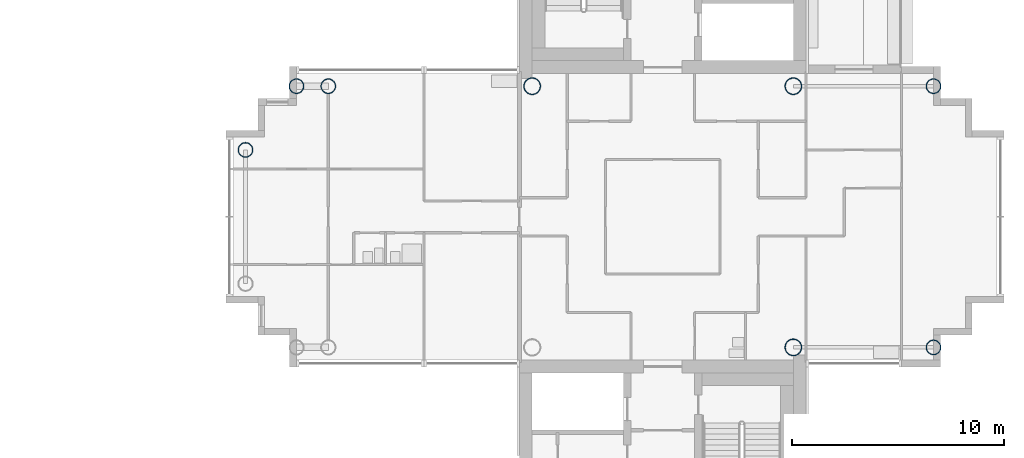
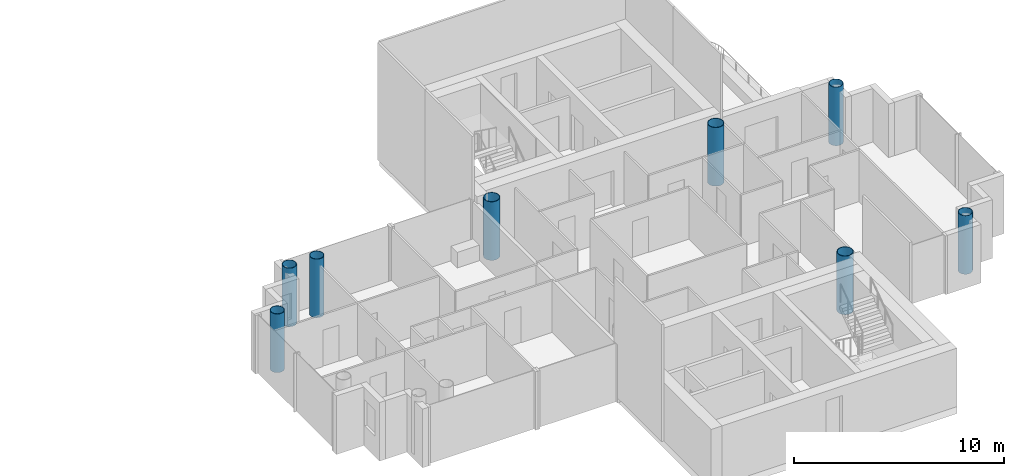
# One storey, part 2 of 18: 8 columns.
"""IFC4 building model written with IfcOpenShell, lengths in metres."""

import ifcopenshell
import ifcopenshell.guid

model = None  # the IFC model being written
_history = None  # IfcOwnerHistory: only IFC2X3 demands one
_inside = {}  # id of a spatial element -> (the spatial element, [elements in it])
_under = {}  # id of a project, library or spatial element -> (it, [spatial elements below it])
_declared = {}  # id of a project -> (the project, [libraries it declares])
_typed = {}  # id of a type object -> (the type object, [elements of that type])
_made_of = {}  # id of a material, layer set ... -> (it, [elements and type objects made of it])


def new_model(schema):
    """Start an empty IFC model of exactly this schema.

    Asked for "IFC4X3", IfcOpenShell would pick the latest addendum, in which some entities
    have other attributes; the version numbers below select the first issue.
    IFC2X3 requires an IfcOwnerHistory on every rooted entity: one is made here for all.
    """
    global model, _history
    if schema == "IFC4X3":
        model = ifcopenshell.file(schema_version=(4, 3, 0, 0))
    else:
        model = ifcopenshell.file(schema=schema)
    _inside.clear()
    _under.clear()
    _declared.clear()
    _typed.clear()
    _made_of.clear()
    _history = None
    if model.schema == "IFC2X3":
        org = make("IfcOrganization", Name="unknown")
        user = make(
            "IfcPersonAndOrganization",
            ThePerson=make("IfcPerson", FamilyName="unknown"),
            TheOrganization=org,
        )
        app = make(
            "IfcApplication",
            ApplicationDeveloper=org,
            Version="unknown",
            ApplicationFullName="unknown",
            ApplicationIdentifier="unknown",
        )
        _history = make(
            "IfcOwnerHistory",
            OwningUser=user,
            OwningApplication=app,
            ChangeAction="ADDED",
            CreationDate=0,
        )
    return model


def make(cls, **values):
    """One entity of the class cls with the attributes given. An attribute that is None is left unset."""
    return model.create_entity(
        cls, **{name: value for name, value in values.items() if value is not None}
    )


def rooted(cls, **values):
    """An entity with a GlobalId (a new one), such as an element, a storey or a relation."""
    return make(cls, GlobalId=ifcopenshell.guid.new(), OwnerHistory=_history, **values)


def si_unit(unit_type, name, prefix=None):
    """IfcSIUnit, for example si_unit("LENGTHUNIT", "METRE", prefix="MILLI")."""
    return make("IfcSIUnit", UnitType=unit_type, Prefix=prefix, Name=name)


def assignment(units):
    """IfcUnitAssignment: the units of a project."""
    return None if units is None else make("IfcUnitAssignment", Units=units)


def point(xyz):
    """IfcCartesianPoint."""
    return None if xyz is None else make("IfcCartesianPoint", Coordinates=xyz)


def direction(xyz):
    """IfcDirection."""
    return None if xyz is None else make("IfcDirection", DirectionRatios=xyz)


def frame(location, z_axis=None, x_axis=None):
    """IfcAxis2Placement3D, a coordinate frame: its origin and axes. An axis left out is left unset."""
    return make(
        "IfcAxis2Placement3D",
        Location=point(location),
        Axis=direction(z_axis),
        RefDirection=direction(x_axis),
    )


def frame_2d(location, x_axis=None):
    """IfcAxis2Placement2D, a coordinate frame in the plane: its origin and x axis."""
    return make(
        "IfcAxis2Placement2D", Location=point(location), RefDirection=direction(x_axis)
    )


def origin():
    """The frame at (0, 0, 0) with its axes left unset."""
    return frame((0.0, 0.0, 0.0))


def origin_2d():
    """The frame at (0, 0) in the plane with its x axis left unset."""
    return frame_2d((0.0, 0.0))


def place(relative_to, where):
    """IfcLocalPlacement: puts the frame where relative to a parent placement (None: the world)."""
    return make(
        "IfcLocalPlacement", PlacementRelTo=relative_to, RelativePlacement=where
    )


def context(
    kind, dimensions, precision=None, world=None, true_north=None, identifier=None
):
    """IfcGeometricRepresentationContext, for example the 3D "Model" context."""
    return make(
        "IfcGeometricRepresentationContext",
        ContextIdentifier=identifier,
        ContextType=kind,
        CoordinateSpaceDimension=dimensions,
        Precision=precision,
        WorldCoordinateSystem=world,
        TrueNorth=true_north,
    )


def subcontext(parent, identifier, kind, view, scale=None):
    """IfcGeometricRepresentationSubContext, for example "Body" below "Model"."""
    return make(
        "IfcGeometricRepresentationSubContext",
        ContextIdentifier=identifier,
        ContextType=kind,
        ParentContext=parent,
        TargetScale=scale,
        TargetView=view,
    )


def project(units=None, contexts=None):
    """IfcProject with its units and contexts."""
    return rooted(
        "IfcProject",
        Name="project",
        RepresentationContexts=contexts,
        UnitsInContext=assignment(units),
    )


def spatial(cls, under=None, at=None, **own):
    """A site, building, storey or space (cls), placed at a placement, below another one or the project."""
    s = rooted(cls, ObjectPlacement=at, **own)
    if under is not None:
        _under.setdefault(under.id(), (under, []))[1].append(s)
    return s


def profile(cls, at=None, kind="AREA", **sizes):
    """A parametric profile (cls). Its sizes go by their IFC names, for example OverallWidth=200.0."""
    return make(cls, ProfileType=kind, Position=at, **sizes)


def hollow_circle(**sizes):
    """IfcCircleHollowProfileDef."""
    return profile("IfcCircleHollowProfileDef", **sizes)


def extrude(swept, where, along, depth):
    """IfcExtrudedAreaSolid: the profile swept, set in the frame where, extruded along a direction by depth."""
    return make(
        "IfcExtrudedAreaSolid",
        SweptArea=swept,
        Position=where,
        ExtrudedDirection=direction(along),
        Depth=depth,
    )


def shape(context_of_items, identifier, shape_type, items):
    """IfcShapeRepresentation: the items that make up one representation, for example the "Body"."""
    return make(
        "IfcShapeRepresentation",
        ContextOfItems=context_of_items,
        RepresentationIdentifier=identifier,
        RepresentationType=shape_type,
        Items=items,
    )


def material(Name=None, Category=None):
    """IfcMaterial."""
    return make("IfcMaterial", Name=Name, Category=Category)


def material_profile(
    of_material, cross_section, Name=None, Category=None, Priority=None
):
    """IfcMaterialProfile: a cross section and its material."""
    return make(
        "IfcMaterialProfile",
        Name=Name,
        Material=of_material,
        Profile=cross_section,
        Priority=Priority,
        Category=Category,
    )


def profile_set(profiles, Name=None, composite=None):
    """IfcMaterialProfileSet."""
    return make(
        "IfcMaterialProfileSet",
        Name=Name,
        MaterialProfiles=profiles,
        CompositeProfile=composite,
    )


def made_of(thing, what):
    """Note that an element or type object is made of a material, layer set ...; save() writes the relation."""
    if what is not None:
        _made_of.setdefault(what.id(), (what, []))[1].append(thing)
    return thing


def type_object(cls, material=None, **own):
    """A type object (cls), such as IfcWallType, which elements share."""
    return made_of(rooted(cls, **own), material)


def element(
    cls,
    number,
    at=None,
    inside=None,
    cuts=None,
    type_object=None,
    material=None,
    context=None,
    identifier="Body",
    shape_type=None,
    held_by="IfcProductDefinitionShape",
    body=None,
    shapes=None,
    **own,
):
    """One element of the class cls, such as IfcWall. Its Tag is "e" and its number.

    at: its placement. inside: the storey or other place that contains it. cuts: it is an
    opening in that element (IfcRelVoidsElement). A single representation is given by context,
    identifier, shape_type and body (its items); several are given by shapes. held_by: the class
    of the entity that holds the representations. save() writes the other relations.
    """
    e = rooted(cls, Tag="e%d" % number, ObjectPlacement=at, **own)
    if body is not None:
        shapes = [shape(context, identifier, shape_type, body)]
    if shapes is not None:
        e.Representation = make(held_by, Representations=shapes)
    if inside is not None:
        _inside.setdefault(inside.id(), (inside, []))[1].append(e)
    if cuts is not None:
        rooted(
            "IfcRelVoidsElement", RelatingBuildingElement=cuts, RelatedOpeningElement=e
        )
    if type_object is not None:
        _typed.setdefault(type_object.id(), (type_object, []))[1].append(e)
    return made_of(e, material)


def aggregate(whole, parts):
    """IfcRelAggregates: a whole, such as a stair, and the parts it consists of."""
    return rooted("IfcRelAggregates", RelatingObject=whole, RelatedObjects=parts)


def save(model, path):
    """Write the relations noted so far, then the file.

    IfcRelAggregates (storeys below a building ...), IfcRelContainedInSpatialStructure (elements
    in a storey), IfcRelDefinesByType, IfcRelAssociatesMaterial and IfcRelDeclares: one each for
    every whole, place, type object, material and project.
    """
    for whole, parts in _under.values():
        aggregate(whole, parts)
    for where, things in _inside.values():
        rooted(
            "IfcRelContainedInSpatialStructure",
            RelatedElements=things,
            RelatingStructure=where,
        )
    for kind, things in _typed.values():
        rooted("IfcRelDefinesByType", RelatedObjects=things, RelatingType=kind)
    for what, things in _made_of.values():
        rooted("IfcRelAssociatesMaterial", RelatedObjects=things, RelatingMaterial=what)
    for by, libraries in _declared.values():
        rooted("IfcRelDeclares", RelatingContext=by, RelatedDefinitions=libraries)
    model.write(path)


model = new_model("IFC4")

# Units and contexts
model_context = context("Model", 3, precision=1e-05, world=origin(), true_north=direction((0.0, 1.0)))
body_context = subcontext(model_context, "Body", "Model", "MODEL_VIEW")
ifc_project = project(units=[si_unit("LENGTHUNIT", "METRE"), si_unit("AREAUNIT", "SQUARE_METRE"), si_unit("VOLUMEUNIT", "CUBIC_METRE"), si_unit("PLANEANGLEUNIT", "RADIAN"), si_unit("MASSUNIT", "GRAM", prefix="KILO")], contexts=[model_context])

# Site, building, storey
site_placement = place(None, origin())
site = spatial("IfcSite", under=ifc_project, at=site_placement, CompositionType="ELEMENT")
building_placement = place(site_placement, origin())
building = spatial("IfcBuilding", under=site, at=building_placement, Name="Ipe Terrace Towers", CompositionType="ELEMENT")
storey_placement = place(building_placement, frame((0.0, 0.0, 219.800048828125)))
storey = spatial("IfcBuildingStorey", under=building, at=storey_placement, Name="L61", CompositionType="ELEMENT", Elevation=219.800048828125)

# Columns
ifc_material_1 = material(Name="Steel S355 tube with Concrete C60/75 fill", Category="concrete")
ifc_material_profile_1 = material_profile(ifc_material_1, hollow_circle(Radius=0.35009765625, WallThickness=0.02490234375, at=origin_2d()), Name="CHS-700x25")
ifc_profile_set_1 = profile_set([ifc_material_profile_1], Name="Steel S355 tube with Concrete C60/75 fill")
column_type_1 = type_object("IfcColumnType", Name="CH08 COLUMN CHS-700x25", PredefinedType="COLUMN", material=ifc_profile_set_1)
for number, where, z_axis, x_axis, name in (
    (1, (20.25, 6.14990234375, 0.0), (0.0, 0.0, 1.0), (1.0, 0.0, 0.0), "Column T2-C-B03"),
    (2, (18.75, 6.14990234375, 0.0), (0.0, 0.0, 1.0), (1.0, 0.0, 0.0), "Column T2-C-B05"),
    (3, (16.35009765625, 3.14990234375, 0.0), (0.0, 0.0, 1.0), (1.0, 0.0, 0.0), "Column T2-C-B07"),
    (4, (48.75, -6.14990234375, 0.0), (0.0, 0.0, 1.0), (1.0, 0.0, 0.0), "Column T2-C-D01"),
    (5, (48.75, 6.14990234375, 0.0), (0.0, 0.0, 1.0), (1.0, 0.0, 0.0), "Column T2-C-D02"),
):
    element("IfcColumn", number, at=place(storey_placement, frame(where, z_axis=z_axis, x_axis=x_axis)), inside=storey, type_object=column_type_1, Name=name, PredefinedType="COLUMN", context=body_context, shape_type="SweptSolid", body=[
        extrude(hollow_circle(Radius=0.35009765625, WallThickness=0.02490234375, at=origin_2d()), origin(), (0.0, 0.0, 1.0), 3.39990234375),
    ])
ifc_material_2 = material(Name="Steel S355 tube with Concrete C60/75 fill", Category="concrete")
ifc_material_profile_2 = material_profile(ifc_material_2, hollow_circle(Radius=0.39990234375, WallThickness=0.028076171875, at=origin_2d()), Name="CHS-800x28")
ifc_profile_set_2 = profile_set([ifc_material_profile_2], Name="Steel S355 tube with Concrete C60/75 fill")
column_type_2 = type_object("IfcColumnType", Name="CH09 COLUMN CHS-800x28", PredefinedType="COLUMN", material=ifc_profile_set_2)
for number, where, z_axis, x_axis, name in (
    (6, (42.14990234375, -6.14990234375, 0.0), (0.0, 0.0, 1.0), (1.0, 0.0, 0.0), "Column T2-C-E01"),
    (7, (42.14990234375, 6.14990234375, 0.0), (0.0, 0.0, 1.0), (1.0, 0.0, 0.0), "Column T2-C-E02"),
    (8, (29.85009765625, 6.14990234375, 0.0), (0.0, 0.0, 1.0), (1.0, 0.0, 0.0), "Column T2-C-E03"),
):
    element("IfcColumn", number, at=place(storey_placement, frame(where, z_axis=z_axis, x_axis=x_axis)), inside=storey, type_object=column_type_2, Name=name, PredefinedType="COLUMN", context=body_context, shape_type="SweptSolid", body=[
        extrude(hollow_circle(Radius=0.39990234375, WallThickness=0.028076171875, at=origin_2d()), origin(), (0.0, 0.0, 1.0), 3.39990234375),
    ])

save(model, "model.ifc")
